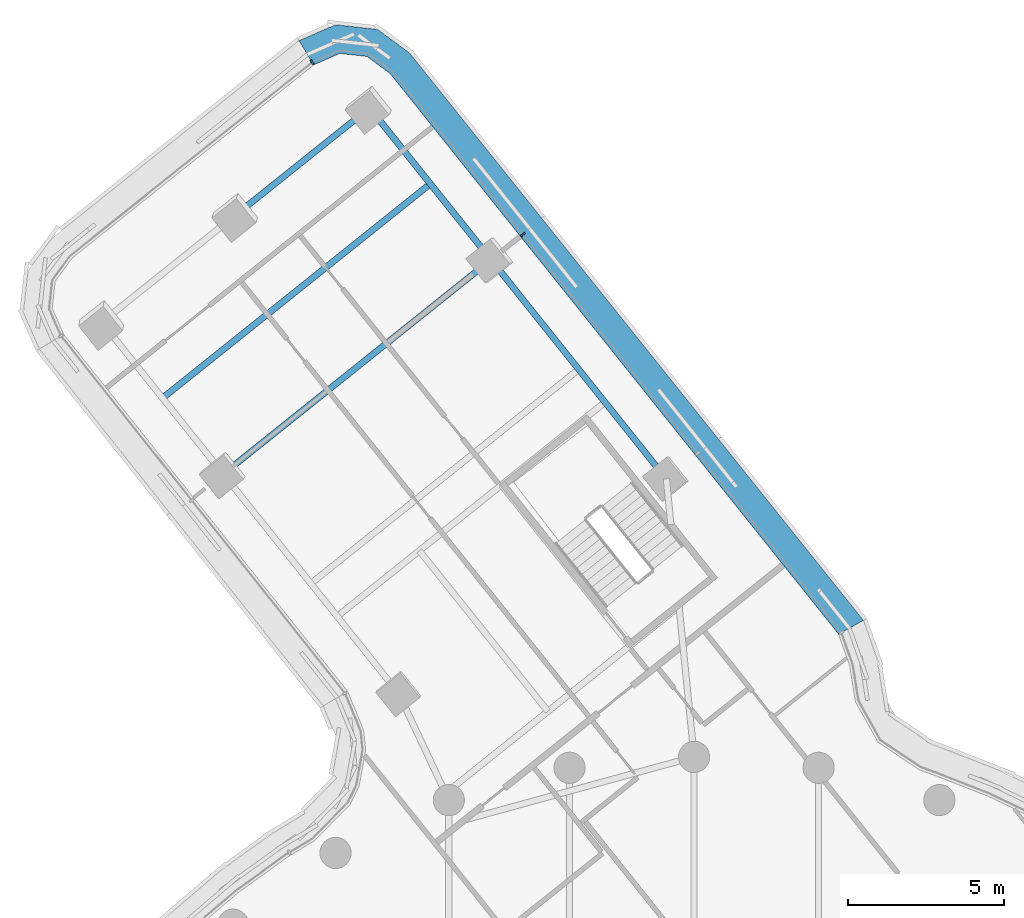
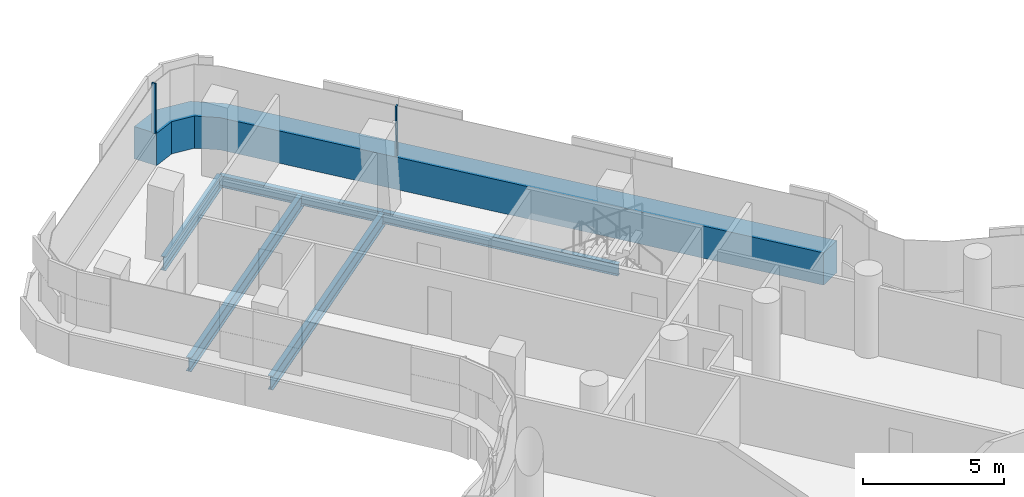
# One storey, part 15 of 31: 5 beams, 3 members, 2 elements without a shape of their own.
"""IFC4 building model written with IfcOpenShell, lengths in metres."""

from ifc_helpers import new_model, si_unit, direction, frame, origin, origin_2d, place, context, subcontext, project, spatial, polyline, rectangle, i_section, outline, extrude, material, layer, layer_set, material_profile, profile_set, type_object, element, aggregate, save


model = new_model("IFC4")

# Units and contexts
model_context = context("Model", 3, precision=1e-05, world=origin(), true_north=direction((0.0, 1.0)))
body_context = subcontext(model_context, "Body", "Model", "MODEL_VIEW")
ifc_project = project(units=[si_unit("LENGTHUNIT", "METRE"), si_unit("AREAUNIT", "SQUARE_METRE"), si_unit("VOLUMEUNIT", "CUBIC_METRE"), si_unit("PLANEANGLEUNIT", "RADIAN"), si_unit("MASSUNIT", "GRAM", prefix="KILO")], contexts=[model_context])

# Site, building, storey
site_placement = place(None, origin())
site = spatial("IfcSite", under=ifc_project, at=site_placement, CompositionType="ELEMENT")
building_placement = place(site_placement, origin())
building = spatial("IfcBuilding", under=site, at=building_placement, Name="Tamarind Cross Interchange Tower", CompositionType="ELEMENT")
storey_placement = place(building_placement, frame((0.0, 0.0, 174.25)))
storey = spatial("IfcBuildingStorey", under=building, at=storey_placement, Name="L43", CompositionType="ELEMENT", Elevation=174.25)

# Beams
ifc_material_1 = material(Name="Steel Q355B", Category="steel")
ifc_material_profile_1 = material_profile(ifc_material_1, i_section(OverallWidth=0.198974609375, OverallDepth=0.49609375, WebThickness=0.009033203125, FlangeThickness=0.013916015625, FilletRadius=0.012939453125, at=origin_2d()), Name="HN 496x199x9x14")
ifc_profile_set_1 = profile_set([ifc_material_profile_1], Name="Steel Q355B")
beam_type_1 = type_object("IfcBeamType", Name="Composite beam HN 496x199x9x14 Q355B", PredefinedType="BEAM", material=ifc_profile_set_1)
beam_1_placement = place(storey_placement, frame((-10.406982421875, 43.814697265625, -0.387939453125), z_axis=(0.624652076145, -0.780903184631, 0.0), x_axis=(0.780903184631, 0.624652076145, 0.0)))
element("IfcBeam", 1, at=beam_1_placement, inside=storey, type_object=beam_type_1, Name="Beam N-edgeem5", PredefinedType="BEAM", context=body_context, shape_type="SweptSolid", body=[
    extrude(i_section(OverallWidth=0.198974609375, OverallDepth=0.49609375, WebThickness=0.009033203125, FlangeThickness=0.013916015625, FilletRadius=0.012939453125, at=origin_2d()), origin(), (0.0, 0.0, 1.0), 6.23583984375),
])
beam_2_placement = place(storey_placement, frame((-6.51171875, 38.945068359375, -0.387939453125), z_axis=(0.624652040483, -0.780903213158, 0.0), x_axis=(0.780903213158, 0.624652040483, 0.0)))
element("IfcBeam", 2, at=beam_2_placement, inside=storey, type_object=beam_type_1, Name="Beam N-edgeem6", PredefinedType="BEAM", context=body_context, shape_type="SweptSolid", body=[
    extrude(i_section(OverallWidth=0.198974609375, OverallDepth=0.49609375, WebThickness=0.009033203125, FlangeThickness=0.013916015625, FilletRadius=0.012939453125, at=origin_2d()), origin(), (0.0, 0.0, 1.0), 9.0),
])
ifc_material_profile_2 = material_profile(ifc_material_1, i_section(OverallWidth=0.199951171875, OverallDepth=0.60009765625, WebThickness=0.010986328125, FlangeThickness=0.01708984375, FilletRadius=0.012939453125, at=origin_2d()), Name="HN 600x200x11x17")
ifc_profile_set_2 = profile_set([ifc_material_profile_2], Name="Steel Q355B")
beam_type_2 = type_object("IfcBeamType", Name="Composite beam HN 600x200x11x17 Q355B", PredefinedType="BEAM", material=ifc_profile_set_2)
beam_3_placement = place(storey_placement, frame((-10.406982421875, 43.814697265625, -0.43994140625), z_axis=(-0.780881801019, -0.624678807739, 0.0), x_axis=(0.624678807739, -0.780881801019, 0.0)))
element("IfcBeam", 3, at=beam_3_placement, inside=storey, type_object=beam_type_2, Name="Beam N-tip0", PredefinedType="BEAM", context=body_context, shape_type="SweptSolid", body=[
    extrude(i_section(OverallWidth=0.199951171875, OverallDepth=0.60009765625, WebThickness=0.010986328125, FlangeThickness=0.01708984375, FilletRadius=0.012939453125, at=origin_2d()), origin(), (0.0, 0.0, 1.0), 5.5),
])
for number, where, z_axis, x_axis, name in (
    (4, (-6.51171875, 38.945068359375, -0.43994140625), (-0.780892627404, -0.62466527394, 0.0), (0.62466527394, -0.780892627404, 0.0), "Beam N-x393"),
    (5, (-8.45947265625, 41.3798828125, -0.43994140625), (-0.780892627404, -0.62466527394, 0.0), (0.62466527394, -0.780892627404, 0.0), "Beam N-x424"),
):
    element("IfcBeam", number, at=place(storey_placement, frame(where, z_axis=z_axis, x_axis=x_axis)), inside=storey, type_object=beam_type_2, Name=name, PredefinedType="BEAM", context=body_context, shape_type="SweptSolid", body=[
        extrude(i_section(OverallWidth=0.199951171875, OverallDepth=0.60009765625, WebThickness=0.010986328125, FlangeThickness=0.01708984375, FilletRadius=0.012939453125, at=origin_2d()), origin(), (0.0, 0.0, 1.0), 11.0),
    ])

# Curtain wall, members
ifc_material_2 = material(Name="Aluminium 6063-T6", Category="aluminium")
ifc_layer = layer(ifc_material_2, 0.159912109375)
ifc_layer_set = layer_set([ifc_layer], Name="Aluminium 6063-T6")
curtain_wall_type = type_object("IfcCurtainWallType", Name="Office curtain wall, 9.0 m bays", PredefinedType="NOTDEFINED", material=ifc_layer_set)
curtain_wall_1_placement = place(storey_placement, origin())
curtain_wall_1 = element("IfcCurtainWall", 6, at=curtain_wall_1_placement, inside=storey, type_object=curtain_wall_type, Name="CWS-L43-11", PredefinedType="NOTDEFINED")
ifc_material_3 = material(Name="Aluminium and insulated spandrel panel", Category="aluminium")
member_type_1 = type_object("IfcMemberType", Name="Floor-edge blade transom", PredefinedType="USERDEFINED", material=ifc_material_3)
member_1_placement = place(storey_placement, origin())
member_1 = element("IfcMember", 7, at=member_1_placement, type_object=member_type_1, Name="CWT-L43-11", ObjectType="TRANSOM", PredefinedType="USERDEFINED", context=body_context, shape_type="SweptSolid", body=[
    extrude(outline(polyline([(4.633056640625, 26.933837890625), (-9.756103515625, 44.921875), (-10.493408203125, 45.46435546875), (-11.362548828125, 45.560791015625), (-12.201171875, 45.193603515625), (-12.670654296875, 45.970458984375), (-11.5029296875, 46.48193359375), (-10.154296875, 46.33203125), (-9.127197265625, 45.57666015625), (5.430908203125, 27.377197265625), (4.633056640625, 26.933837890625)])), origin(), (0.0, 0.0, 1.0), 1.39990234375),
])
ifc_material_profile_3 = material_profile(ifc_material_2, rectangle(XDim=0.06005859375, YDim=0.159912109375, at=origin_2d()), Name="Mullion CW1")
ifc_profile_set_3 = profile_set([ifc_material_profile_3], Name="Aluminium 6063-T6")
member_type_2 = type_object("IfcMemberType", Name="Mullion CW1", PredefinedType="MULLION", material=ifc_profile_set_3)
member_2_placement = place(storey_placement, frame((-5.4912109375, 39.750244140625, 1.39990234375), z_axis=(0.0, 0.0, 1.0), x_axis=(-0.624664951388, 0.780892885425, 0.0)))
member_2 = element("IfcMember", 8, at=member_2_placement, type_object=member_type_2, Name="CWM-L43-11-02", PredefinedType="MULLION", context=body_context, shape_type="SweptSolid", body=[
    extrude(rectangle(XDim=0.06005859375, YDim=0.159912109375, at=origin_2d()), origin(), (0.0, 0.0, 1.0), 2.170166015625),
])
aggregate(curtain_wall_1, [member_2, member_1])

# Curtain wall, member
curtain_wall_2_placement = place(storey_placement, origin())
curtain_wall_2 = element("IfcCurtainWall", 9, at=curtain_wall_2_placement, inside=storey, type_object=curtain_wall_type, Name="CWS-L43-12", PredefinedType="NOTDEFINED")
member_3_placement = place(storey_placement, frame((-12.253173828125, 45.27978515625, 1.39990234375), z_axis=(0.0, 0.0, 1.0), x_axis=(-0.855747376056, -0.517393881268, 0.0)))
member_3 = element("IfcMember", 10, at=member_3_placement, type_object=member_type_2, Name="CWM-L43-12-00", PredefinedType="MULLION", context=body_context, shape_type="SweptSolid", body=[
    extrude(rectangle(XDim=0.06005859375, YDim=0.159912109375, at=origin_2d()), origin(), (0.0, 0.0, 1.0), 2.170166015625),
])
aggregate(curtain_wall_2, [member_3])

save(model, "model.ifc")
